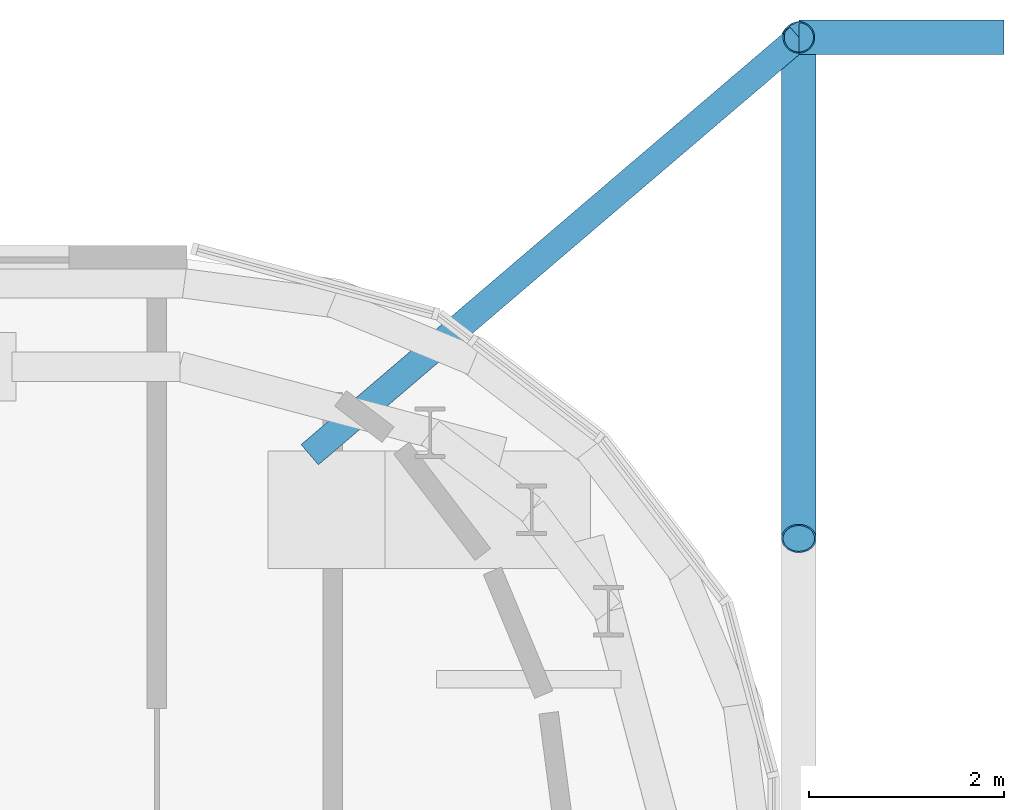
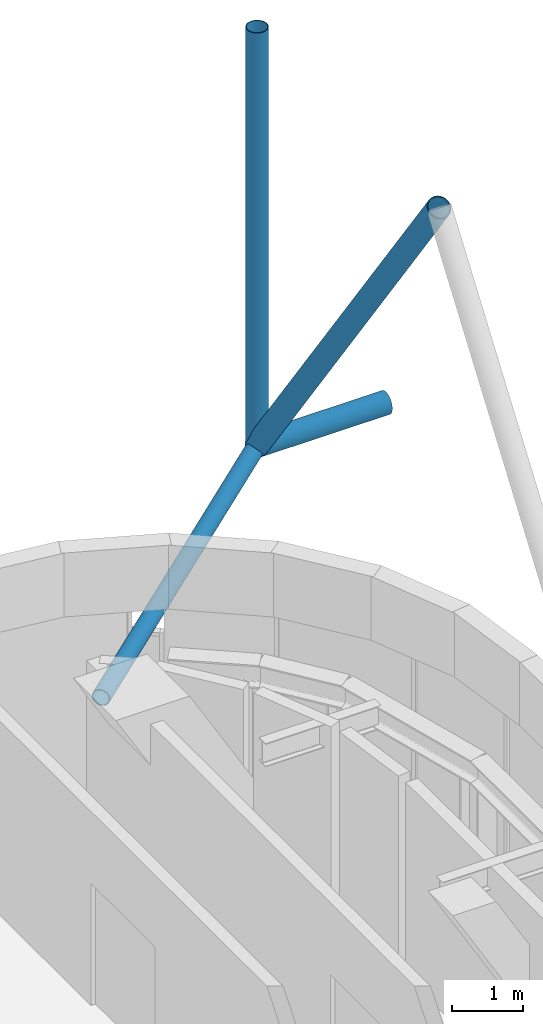
# One storey, part 12 of 25: 4 members.
"""IFC4 building model written with IfcOpenShell, lengths in metres."""

from ifc_helpers import new_model, si_unit, direction, frame, origin, origin_2d, place, context, subcontext, project, spatial, hollow_circle, extrude, material, material_profile, profile_set, type_object, element, save


model = new_model("IFC4")

# Units and contexts
model_context = context("Model", 3, precision=1e-05, world=origin(), true_north=direction((0.0, 1.0)))
body_context = subcontext(model_context, "Body", "Model", "MODEL_VIEW")
ifc_project = project(units=[si_unit("LENGTHUNIT", "METRE"), si_unit("AREAUNIT", "SQUARE_METRE"), si_unit("VOLUMEUNIT", "CUBIC_METRE"), si_unit("PLANEANGLEUNIT", "RADIAN"), si_unit("MASSUNIT", "GRAM", prefix="KILO")], contexts=[model_context])

# Site, building, storey
site_placement = place(None, origin())
site = spatial("IfcSite", under=ifc_project, at=site_placement, CompositionType="ELEMENT")
building_placement = place(site_placement, origin())
building = spatial("IfcBuilding", under=site, at=building_placement, Name="Marenta Gate Hotel Tower", CompositionType="ELEMENT")
storey_placement = place(building_placement, frame((0.0, 0.0, 277.699951171875)))
storey = spatial("IfcBuildingStorey", under=building, at=storey_placement, Name="L64", CompositionType="ELEMENT", Elevation=277.699951171875)

# Members
ifc_material_1 = material(Name="Steel S355J2W", Category="steel")
ifc_material_profile_1 = material_profile(ifc_material_1, hollow_circle(Radius=0.161865234375, WallThickness=0.012451171875, at=origin_2d()), Name="CHS 323.9x12.5")
ifc_profile_set_1 = profile_set([ifc_material_profile_1], Name="Steel S355J2W")
member_type_1 = type_object("IfcMemberType", Name="Diagrid corner post C CHS 323.9x12.5", PredefinedType="POST", material=ifc_profile_set_1)
member_1_placement = place(storey_placement, frame((23.3701171875, 19.169921875, 3.14013671875), z_axis=(0.0, 0.0, 1.0), x_axis=(1.0, 0.0, 0.0)))
element("IfcMember", 1, at=member_1_placement, inside=storey, type_object=member_type_1, Name="L64-DR-7", PredefinedType="POST", context=body_context, shape_type="SweptSolid", body=[
    extrude(hollow_circle(Radius=0.161865234375, WallThickness=0.012451171875, at=origin_2d()), origin(), (0.0, 0.0, 1.0), 7.199951171875),
])
ifc_material_2 = material(Name="Steel S355J2W", Category="steel")
ifc_material_profile_2 = material_profile(ifc_material_2, hollow_circle(Radius=0.177734375, WallThickness=0.01611328125, at=origin_2d()), Name="CHS 355.6x16")
ifc_profile_set_2 = profile_set([ifc_material_profile_2], Name="Steel S355J2W")
member_type_2 = type_object("IfcMemberType", Name="Diagrid diagonal C CHS 355.6x16", PredefinedType="BRACE", material=ifc_profile_set_2)
member_2_placement = place(storey_placement, frame((23.3701171875, 19.169921875, 3.14013671875), z_axis=(0.0, -0.580213650922, 0.81446431431), x_axis=(1.0, 0.0, 0.0)))
element("IfcMember", 2, at=member_2_placement, inside=storey, type_object=member_type_2, Name="L64-DG-1", PredefinedType="BRACE", context=body_context, shape_type="SweptSolid", body=[
    extrude(hollow_circle(Radius=0.177734375, WallThickness=0.01611328125, at=origin_2d()), origin(), (0.0, 0.0, 1.0), 8.840087890625),
])
ifc_material_3 = material(Name="Steel S355J2W", Category="steel")
ifc_material_profile_3 = material_profile(ifc_material_3, hollow_circle(Radius=0.136474609375, WallThickness=0.012451171875, at=origin_2d()), Name="CHS 273x12.5")
ifc_profile_set_3 = profile_set([ifc_material_profile_3], Name="Steel S355J2W")
member_type_3 = type_object("IfcMemberType", Name="Floor tie CHS 273x12.5", PredefinedType="STRUT", material=ifc_profile_set_3)
member_3_placement = place(storey_placement, frame((23.3701171875, 19.169921875, 3.14013671875), z_axis=(-0.760734272891, -0.649063453022, 0.0), x_axis=(0.649063453022, -0.760734272891, 0.0)))
element("IfcMember", 3, at=member_3_placement, inside=storey, type_object=member_type_3, Name="L64-DR-13", PredefinedType="STRUT", context=body_context, shape_type="SweptSolid", body=[
    extrude(hollow_circle(Radius=0.136474609375, WallThickness=0.012451171875, at=origin_2d()), origin(), (0.0, 0.0, 1.0), 6.58056640625),
])
ifc_material_4 = material(Name="Steel S355J2W", Category="steel")
ifc_material_profile_4 = material_profile(ifc_material_4, hollow_circle(Radius=0.177734375, WallThickness=0.01611328125, at=origin_2d()), Name="CHS 355.6x16")
ifc_profile_set_4 = profile_set([ifc_material_profile_4], Name="Steel S355J2W")
member_type_4 = type_object("IfcMemberType", Name="Setback strut CHS 355.6x16", PredefinedType="STRUT", material=ifc_profile_set_4)
member_4_placement = place(storey_placement, frame((25.469970703125, 19.169921875, 3.14013671875), z_axis=(-1.0, 0.0, 0.0), x_axis=(0.0, -1.0, 0.0)))
element("IfcMember", 4, at=member_4_placement, inside=storey, type_object=member_type_4, Name="L64-DR-1", PredefinedType="STRUT", context=body_context, shape_type="SweptSolid", body=[
    extrude(hollow_circle(Radius=0.177734375, WallThickness=0.01611328125, at=origin_2d()), origin(), (0.0, 0.0, 1.0), 2.099853515625),
])

save(model, "model.ifc")
